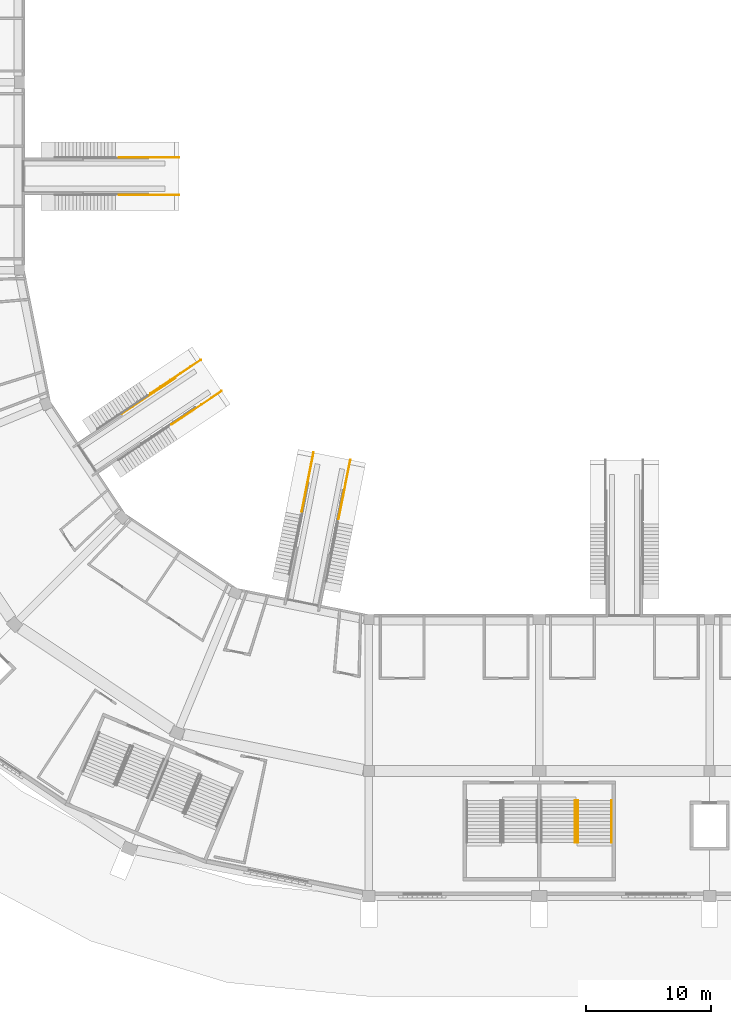
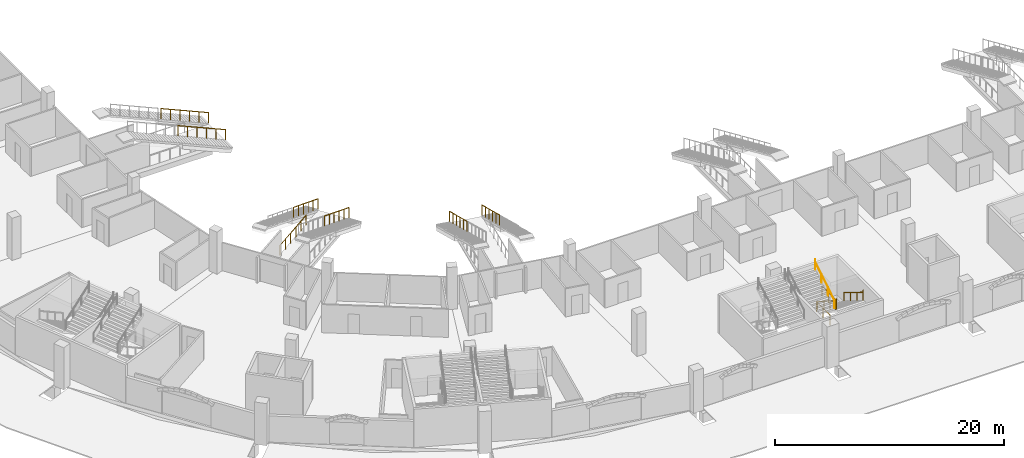
# One storey, part 155 of 175: 12 railings.
"""IFC4 building model written with IfcOpenShell, lengths in metres."""

from ifc_helpers import new_model, si_unit, direction, frame, origin, origin_2d, place, context, subcontext, project, spatial, circle, extrude, material, type_object, element, save


model = new_model("IFC4")

# Units and contexts
model_context = context("Model", 3, precision=1e-05, world=origin(), true_north=direction((0.0, 1.0)))
body_context = subcontext(model_context, "Body", "Model", "MODEL_VIEW")
ifc_project = project(units=[si_unit("LENGTHUNIT", "METRE"), si_unit("AREAUNIT", "SQUARE_METRE"), si_unit("VOLUMEUNIT", "CUBIC_METRE"), si_unit("PLANEANGLEUNIT", "RADIAN"), si_unit("MASSUNIT", "GRAM", prefix="KILO")], contexts=[model_context])

# Site, building, storey
site_placement = place(None, origin())
site = spatial("IfcSite", under=ifc_project, at=site_placement, CompositionType="ELEMENT")
building_placement = place(site_placement, origin())
building = spatial("IfcBuilding", under=site, at=building_placement, Name="Ogive Plaza Stadium", CompositionType="ELEMENT")
storey_placement = place(building_placement, origin())
storey = spatial("IfcBuildingStorey", under=building, at=storey_placement, Name="L00", CompositionType="ELEMENT", Elevation=0.0)

# Railings
ifc_material_1 = material(Name="Steel ASTM A572 Grade 50", Category="steel")
railing_type_1 = type_object("IfcRailingType", Name="Guard 1100", PredefinedType="GUARDRAIL", material=ifc_material_1)
for number, where, name in (
    (1, (-17.425048828125, -94.85009765625, 0.0), "Stair well guard ST16B L00"),
    (2, (-17.425048828125, -95.81005859375, 2.25), "Stair well guard ST16B L00"),
):
    element("IfcRailing", number, at=place(storey_placement, frame(where)), inside=storey, type_object=railing_type_1, Name=name, PredefinedType="GUARDRAIL", context=body_context, shape_type="SweptSolid", body=[
        extrude(circle(Radius=0.02392578125, at=origin_2d()), frame((0.0, 0.0, 1.076171875), z_axis=(0.0, -1.0, 0.0), x_axis=(1.0, 0.0, 0.0)), (0.0, 0.0, 1.0), 2.39990234375),
        extrude(circle(Radius=0.02099609375, at=origin_2d()), origin(), (0.0, 0.0, 1.0), 1.052001953125),
        extrude(circle(Radius=0.02099609375, at=origin_2d()), frame((0.0, -1.199951171875, 0.0)), (0.0, 0.0, 1.0), 1.052001953125),
        extrude(circle(Radius=0.02099609375, at=origin_2d()), frame((0.0, -2.39990234375, 0.0)), (0.0, 0.0, 1.0), 1.052001953125),
    ])
for number, where, name in (
    (3, (-38.4267578125, -67.066162109375, 0.125), "Vomitory guard B17"),
    (4, (-35.484375, -67.651611328125, 0.125), "Vomitory guard B17"),
):
    element("IfcRailing", number, at=place(storey_placement, frame(where)), inside=storey, type_object=railing_type_1, Name=name, PredefinedType="GUARDRAIL", context=body_context, shape_type="SweptSolid", body=[
        extrude(circle(Radius=0.02392578125, at=origin_2d()), frame((0.0, 0.0, 1.076171875), z_axis=(-0.178493692695, -0.897337738024, 0.403639672959), x_axis=(0.980784837267, -0.1950925498, 0.0)), (0.0, 0.0, 1.0), 5.2646484375),
        extrude(circle(Radius=0.02099609375, at=origin_2d()), origin(), (0.0, 0.0, 1.0), 1.052001953125),
        extrude(circle(Radius=0.02099609375, at=origin_2d()), frame((-0.18798828125, -0.94482421875, 0.425048828125)), (0.0, 0.0, 1.0), 1.052001953125),
        extrude(circle(Radius=0.02099609375, at=origin_2d()), frame((-0.3759765625, -1.8896484375, 0.85009765625)), (0.0, 0.0, 1.0), 1.052001953125),
        extrude(circle(Radius=0.02099609375, at=origin_2d()), frame((-0.563720703125, -2.83447265625, 1.27490234375)), (0.0, 0.0, 1.0), 1.052001953125),
        extrude(circle(Radius=0.02099609375, at=origin_2d()), frame((-0.751708984375, -3.779296875, 1.699951171875)), (0.0, 0.0, 1.0), 1.052001953125),
        extrude(circle(Radius=0.02099609375, at=origin_2d()), frame((-0.939697265625, -4.72412109375, 2.125)), (0.0, 0.0, 1.0), 1.052001953125),
    ])
for number, where, name in (
    (5, (-47.43017578125, -59.669677734375, 0.125), "Vomitory guard B19"),
    (6, (-45.763427734375, -62.1640625, 0.125), "Vomitory guard B19"),
):
    element("IfcRailing", number, at=place(storey_placement, frame(where)), inside=storey, type_object=railing_type_1, Name=name, PredefinedType="GUARDRAIL", context=body_context, shape_type="SweptSolid", body=[
        extrude(circle(Radius=0.02392578125, at=origin_2d()), frame((0.0, 0.0, 1.076171875), z_axis=(-0.760721903755, -0.508307290116, 0.403640785801), x_axis=(0.555577158095, -0.831464985073, 0.0)), (0.0, 0.0, 1.0), 5.2646484375),
        extrude(circle(Radius=0.02099609375, at=origin_2d()), origin(), (0.0, 0.0, 1.0), 1.052001953125),
        extrude(circle(Radius=0.02099609375, at=origin_2d()), frame((-0.801025390625, -0.53515625, 0.425048828125)), (0.0, 0.0, 1.0), 1.052001953125),
        extrude(circle(Radius=0.02099609375, at=origin_2d()), frame((-1.60205078125, -1.0703125, 0.85009765625)), (0.0, 0.0, 1.0), 1.052001953125),
        extrude(circle(Radius=0.02099609375, at=origin_2d()), frame((-2.40283203125, -1.605712890625, 1.27490234375)), (0.0, 0.0, 1.0), 1.052001953125),
        extrude(circle(Radius=0.02099609375, at=origin_2d()), frame((-3.203857421875, -2.140869140625, 1.699951171875)), (0.0, 0.0, 1.0), 1.052001953125),
        extrude(circle(Radius=0.02099609375, at=origin_2d()), frame((-4.0048828125, -2.676025390625, 2.125)), (0.0, 0.0, 1.0), 1.052001953125),
    ])
railing_1_placement = place(storey_placement, frame((-49.458740234375, -61.121337890625, 0.0)))
element("IfcRailing", 7, at=railing_1_placement, inside=storey, type_object=railing_type_1, Name="Vomitory edge guard B19", PredefinedType="GUARDRAIL", context=body_context, shape_type="SweptSolid", body=[
    extrude(circle(Radius=0.02392578125, at=origin_2d()), frame((0.0, 0.0, 1.076171875), z_axis=(-0.831459841427, -0.55558485589, 0.0), x_axis=(0.55558485589, -0.831459841427, 0.0)), (0.0, 0.0, 1.0), 5.15673828125),
    extrude(circle(Radius=0.02099609375, at=origin_2d()), origin(), (0.0, 0.0, 1.0), 1.052001953125),
    extrude(circle(Radius=0.02099609375, at=origin_2d()), frame((-0.857421875, -0.572998046875, 0.0)), (0.0, 0.0, 1.0), 1.052001953125),
    extrude(circle(Radius=0.02099609375, at=origin_2d()), frame((-1.715087890625, -1.14599609375, 0.0)), (0.0, 0.0, 1.0), 1.052001953125),
    extrude(circle(Radius=0.02099609375, at=origin_2d()), frame((-2.572509765625, -1.718994140625, 0.0)), (0.0, 0.0, 1.0), 1.052001953125),
    extrude(circle(Radius=0.02099609375, at=origin_2d()), frame((-3.43017578125, -2.2919921875, 0.0)), (0.0, 0.0, 1.0), 1.052001953125),
    extrude(circle(Radius=0.02099609375, at=origin_2d()), frame((-4.28759765625, -2.864990234375, 0.0)), (0.0, 0.0, 1.0), 1.052001953125),
])
for number, where, name in (
    (8, (-49.14990234375, -43.5, 0.125), "Vomitory guard B21"),
    (9, (-49.14990234375, -46.5, 0.125), "Vomitory guard B21"),
):
    element("IfcRailing", number, at=place(storey_placement, frame(where)), inside=storey, type_object=railing_type_1, Name=name, PredefinedType="GUARDRAIL", context=body_context, shape_type="SweptSolid", body=[
        extrude(circle(Radius=0.02392578125, at=origin_2d()), frame((0.0, 0.0, 1.076171875), z_axis=(-0.914917297869, 0.0, 0.403641348302), x_axis=(0.0, -1.0, 0.0)), (0.0, 0.0, 1.0), 5.2646484375),
        extrude(circle(Radius=0.02099609375, at=origin_2d()), origin(), (0.0, 0.0, 1.0), 1.052001953125),
        extrude(circle(Radius=0.02099609375, at=origin_2d()), frame((-0.96337890625, 0.0, 0.425048828125)), (0.0, 0.0, 1.0), 1.052001953125),
        extrude(circle(Radius=0.02099609375, at=origin_2d()), frame((-1.9267578125, 0.0, 0.85009765625)), (0.0, 0.0, 1.0), 1.052001953125),
        extrude(circle(Radius=0.02099609375, at=origin_2d()), frame((-2.889892578125, 0.0, 1.27490234375)), (0.0, 0.0, 1.0), 1.052001953125),
        extrude(circle(Radius=0.02099609375, at=origin_2d()), frame((-3.853271484375, 0.0, 1.699951171875)), (0.0, 0.0, 1.0), 1.052001953125),
        extrude(circle(Radius=0.02099609375, at=origin_2d()), frame((-4.816650390625, 0.0, 2.125)), (0.0, 0.0, 1.0), 1.052001953125),
    ])
ifc_material_2 = material(Name="Steel ASTM A572 Grade 50", Category="steel")
railing_type_2 = type_object("IfcRailingType", Name="Handrail 900", PredefinedType="HANDRAIL", material=ifc_material_2)
for number, where, name in (
    (10, (-17.31494140625, -94.85009765625, 0.173095703125), "Handrail ST16B L00"),
    (11, (-14.635009765625, -94.85009765625, 0.173095703125), "Handrail ST16B L00"),
):
    element("IfcRailing", number, at=place(storey_placement, frame(where)), inside=storey, type_object=railing_type_2, Name=name, PredefinedType="HANDRAIL", context=body_context, shape_type="SweptSolid", body=[
        extrude(circle(Radius=0.02392578125, at=origin_2d()), frame((0.0, 0.0, 0.8759765625), z_axis=(0.0, -0.850606129759, 0.525803396734), x_axis=(1.0, 0.0, 0.0)), (0.0, 0.0, 1.0), 3.949951171875),
        extrude(circle(Radius=0.02099609375, at=origin_2d()), origin(), (0.0, 0.0, 1.0), 0.851806640625),
        extrude(circle(Radius=0.02099609375, at=origin_2d()), frame((0.0, -1.119873046875, 0.6923828125)), (0.0, 0.0, 1.0), 0.851806640625),
        extrude(circle(Radius=0.02099609375, at=origin_2d()), frame((0.0, -2.239990234375, 1.384521484375)), (0.0, 0.0, 1.0), 0.851806640625),
        extrude(circle(Radius=0.02099609375, at=origin_2d()), frame((0.0, -3.35986328125, 2.076904296875)), (0.0, 0.0, 1.0), 1.10009765625),
    ])
railing_2_placement = place(storey_placement, frame((-17.534912109375, -98.2099609375, 2.423095703125)))
element("IfcRailing", 12, at=railing_2_placement, inside=storey, type_object=railing_type_2, Name="Handrail ST16B L00", PredefinedType="HANDRAIL", context=body_context, shape_type="SweptSolid", body=[
    extrude(circle(Radius=0.02392578125, at=origin_2d()), frame((0.0, 0.0, 0.8759765625), z_axis=(0.0, 0.850606129759, 0.525803396734), x_axis=(-1.0, 0.0, 0.0)), (0.0, 0.0, 1.0), 3.949951171875),
    extrude(circle(Radius=0.02099609375, at=origin_2d()), origin(), (0.0, 0.0, 1.0), 0.851806640625),
    extrude(circle(Radius=0.02099609375, at=origin_2d()), frame((0.0, 1.119873046875, 0.6923828125)), (0.0, 0.0, 1.0), 0.851806640625),
    extrude(circle(Radius=0.02099609375, at=origin_2d()), frame((0.0, 2.239990234375, 1.384521484375)), (0.0, 0.0, 1.0), 0.851806640625),
    extrude(circle(Radius=0.02099609375, at=origin_2d()), frame((0.0, 3.35986328125, 2.076904296875)), (0.0, 0.0, 1.0), 1.10009765625),
])

save(model, "model.ifc")
